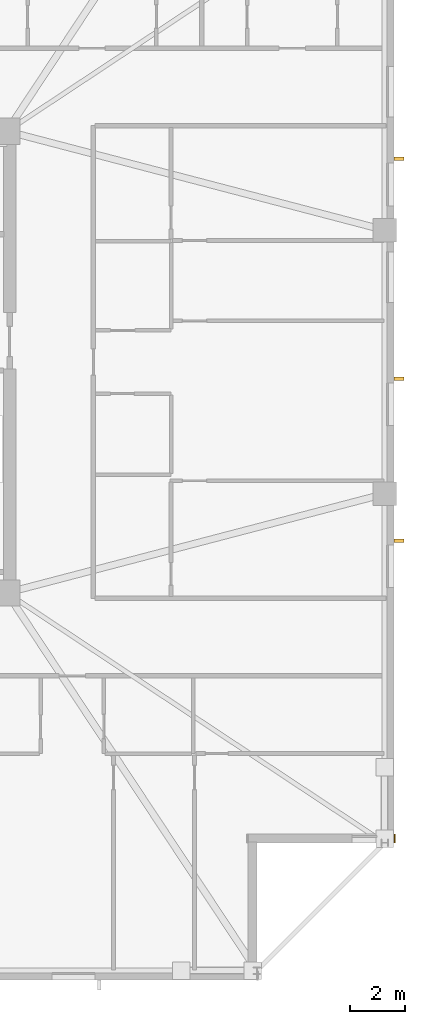
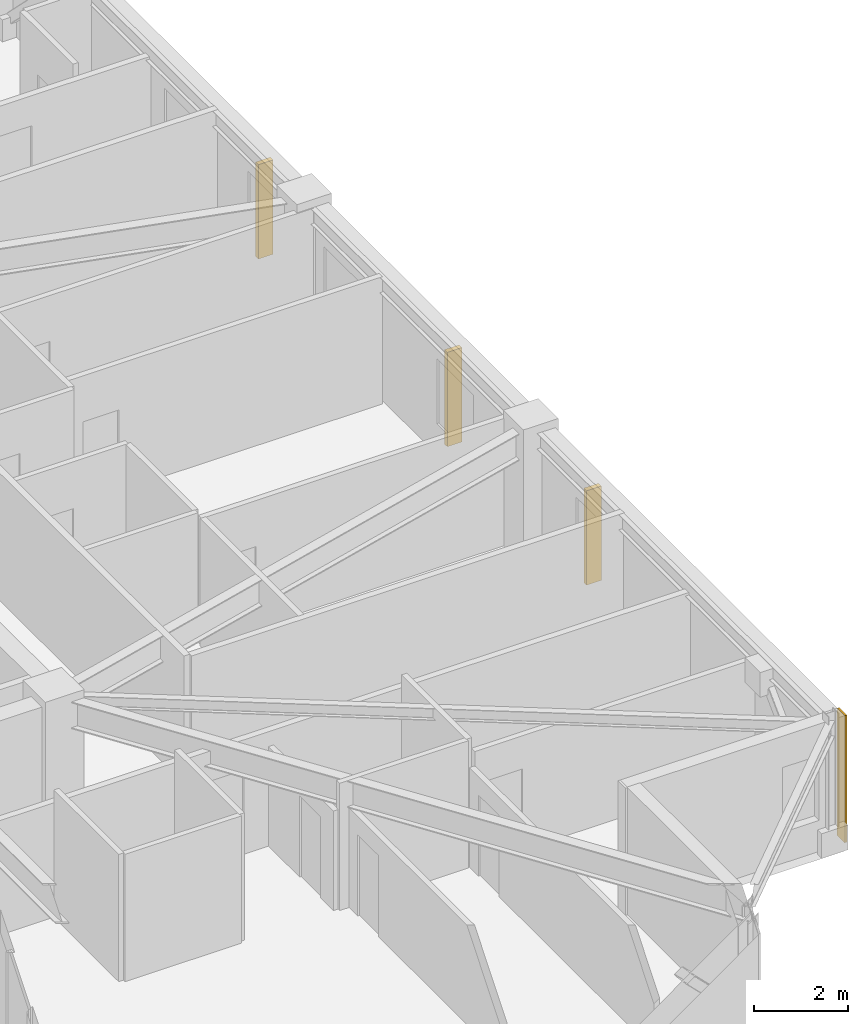
# One storey, part 15 of 17: 3 shading devices, 1 covering.
"""IFC4 building model written with IfcOpenShell, lengths in metres."""

from ifc_helpers import new_model, si_unit, direction, frame, frame_2d, origin, origin_2d, place, context, subcontext, project, spatial, rectangle, extrude, material, layer, layer_set, type_object, element, save


model = new_model("IFC4")

# Units and contexts
model_context = context("Model", 3, precision=1e-05, world=origin(), true_north=direction((0.0, 1.0)))
body_context = subcontext(model_context, "Body", "Model", "MODEL_VIEW")
ifc_project = project(units=[si_unit("LENGTHUNIT", "METRE"), si_unit("AREAUNIT", "SQUARE_METRE"), si_unit("VOLUMEUNIT", "CUBIC_METRE"), si_unit("PLANEANGLEUNIT", "RADIAN"), si_unit("MASSUNIT", "GRAM", prefix="KILO")], contexts=[model_context])

# Site, building, storey
site_placement = place(None, origin())
site = spatial("IfcSite", under=ifc_project, at=site_placement, CompositionType="ELEMENT")
building_placement = place(site_placement, origin())
building = spatial("IfcBuilding", under=site, at=building_placement, Name="Cairnveth Concourse Tower", CompositionType="ELEMENT")
storey_placement = place(building_placement, frame((0.0, 0.0, 269.0)))
storey = spatial("IfcBuildingStorey", under=building, at=storey_placement, Name="L74", CompositionType="ELEMENT", Elevation=269.0)

# Covering
ifc_material_1 = material(Name="Dressed Melbourne Bluestone Cladding", Category="masonry")
ifc_layer = layer(ifc_material_1, 0.050048828125)
ifc_layer_set = layer_set([ifc_layer], Name="Dressed Melbourne Bluestone Cladding")
covering_type = type_object("IfcCoveringType", Name="DRESSED BLUESTONE PLINTH CLADDING 50", PredefinedType="CLADDING", material=ifc_layer_set)
covering_placement = place(storey_placement, frame((74.52001953125, 21.820068359375, 0.0), z_axis=(0.0, 0.0, 1.0), x_axis=(0.0, -1.0, 0.0)))
element("IfcCovering", 1, at=covering_placement, inside=storey, type_object=covering_type, Name="Melbourne Bluestone Corner Quoin L74-1129", PredefinedType="CLADDING", context=body_context, shape_type="SweptSolid", body=[
    extrude(rectangle(XDim=0.320068359375, YDim=0.050048828125, at=frame_2d((0.16015625, 0.0))), origin(), (0.0, 0.0, 1.0), 3.2900390625),
])

# Shading devices
ifc_material_2 = material(Name="Architectural Bronze Anodised Aluminium 6063-T6", Category="aluminium")
shading_device_type = type_object("IfcShadingDeviceType", Name="GOTHIC BRONZE VERTICAL LANCET FIN", PredefinedType="USERDEFINED", material=ifc_material_2)
for number, where, z_axis, x_axis, name in (
    (2, (74.675048828125, 46.39697265625, 0.030029296875), (0.0, 0.0, 1.0), (0.0, 1.0, 0.0), "Gothic Bronze Vertical Fin L74-9-3"),
    (3, (74.675048828125, 38.396484375, 0.030029296875), (0.0, 0.0, 1.0), (0.0, 1.0, 0.0), "Gothic Bronze Vertical Fin L74-9-5"),
    (4, (74.675048828125, 32.495849609375, 0.030029296875), (0.0, 0.0, 1.0), (0.0, 1.0, 0.0), "Gothic Bronze Vertical Fin L74-9-7"),
):
    element("IfcShadingDevice", number, at=place(storey_placement, frame(where, z_axis=z_axis, x_axis=x_axis)), inside=storey, type_object=shading_device_type, Name=name, ObjectType="VERTICAL FIN", PredefinedType="USERDEFINED", context=body_context, shape_type="SweptSolid", body=[
        extrude(rectangle(XDim=0.1201171875, YDim=0.360107421875, at=origin_2d()), origin(), (0.0, 0.0, 1.0), 2.43798828125),
    ])

save(model, "model.ifc")
